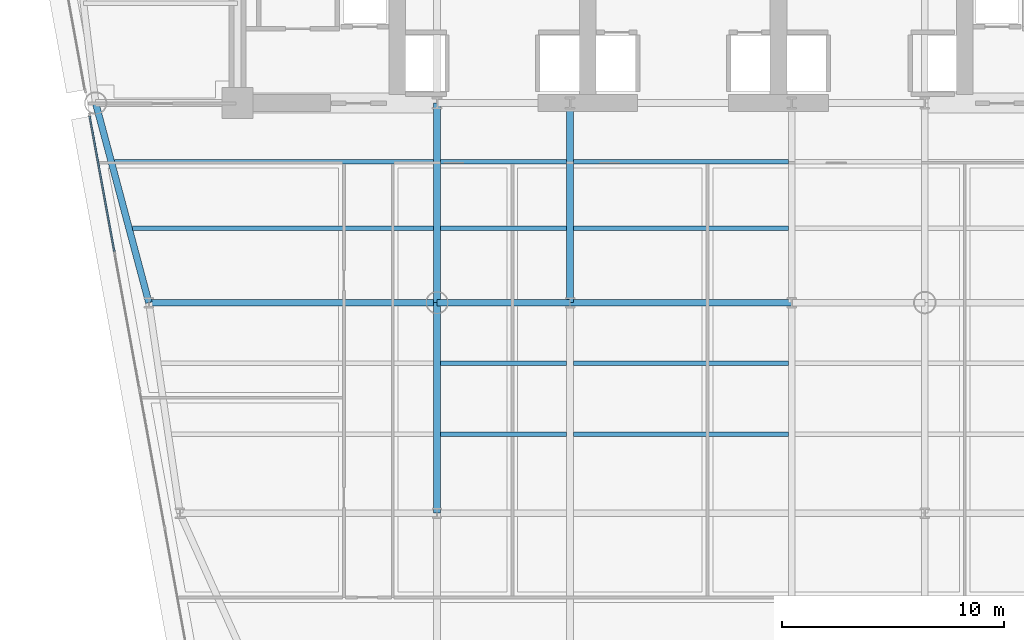
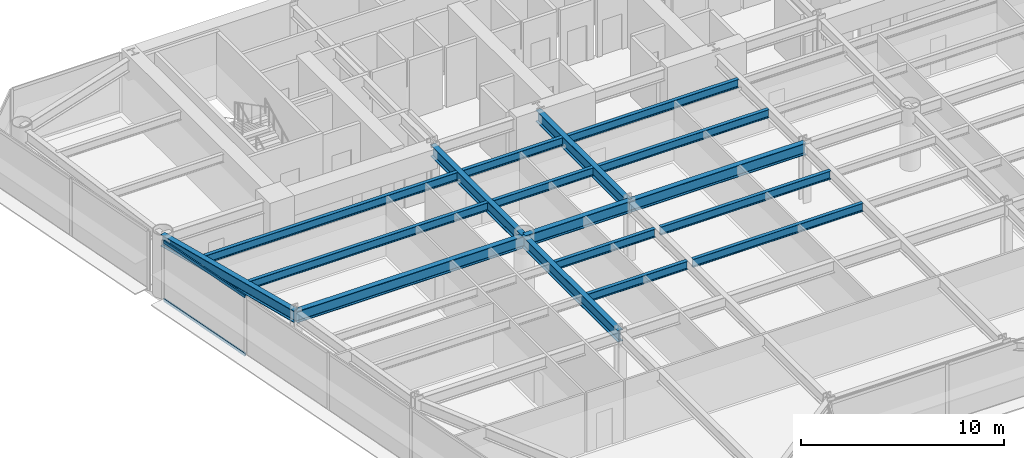
# One storey, part 4 of 15: 17 beams, 2 members, 1 element without a shape of its own.
"""IFC4 building model written with IfcOpenShell, lengths in metres."""

from ifc_helpers import new_model, si_unit, direction, frame, origin, origin_2d, place, context, subcontext, project, spatial, rectangle, i_section, extrude, source, transform, mapped, material, layer, layer_set, material_profile, profile_set, type_object, element, aggregate, save


model = new_model("IFC4")

# Units and contexts
model_context = context("Model", 3, precision=1e-05, world=origin(), true_north=direction((0.0, 1.0)))
body_context = subcontext(model_context, "Body", "Model", "MODEL_VIEW")
ifc_project = project(units=[si_unit("LENGTHUNIT", "METRE"), si_unit("AREAUNIT", "SQUARE_METRE"), si_unit("VOLUMEUNIT", "CUBIC_METRE"), si_unit("PLANEANGLEUNIT", "RADIAN"), si_unit("MASSUNIT", "GRAM", prefix="KILO")], contexts=[model_context])

# Site, building, storey
site_placement = place(None, origin())
site = spatial("IfcSite", under=ifc_project, at=site_placement, CompositionType="ELEMENT")
building_placement = place(site_placement, origin())
building = spatial("IfcBuilding", under=site, at=building_placement, Name="Vaeldorn Concourse Tower", CompositionType="ELEMENT")
storey_placement = place(building_placement, frame((0.0, 0.0, 103.39990234375)))
storey = spatial("IfcBuildingStorey", under=building, at=storey_placement, Name="L26", CompositionType="ELEMENT", Elevation=103.39990234375)

# Beams
ifc_material_1 = material(Name="Steel S355", Category="steel")
ifc_material_profile_1 = material_profile(ifc_material_1, i_section(OverallWidth=0.199951171875, OverallDepth=0.5, WebThickness=0.01025390625, FlangeThickness=0.01611328125, FilletRadius=0.02099609375, at=origin_2d()), Name="IPE 500")
ifc_profile_set_1 = profile_set([ifc_material_profile_1], Name="Steel S355")
beam_type_1 = type_object("IfcBeamType", Name="BM-JS-IPE500", PredefinedType="JOIST", material=ifc_profile_set_1)
shared_shape_1 = source(origin(), body_context, "Body", "SweptSolid", [
    extrude(i_section(OverallWidth=0.199951171875, OverallDepth=0.5, WebThickness=0.01025390625, FlangeThickness=0.01611328125, FilletRadius=0.02099609375, at=origin_2d()), origin(), (0.0, 0.0, 1.0), 5.7001953125),
])
for number, where, z_axis, x_axis, name in (
    (1, (23.14990234375, 21.56005859375, 3.330078125), (1.0, 0.0, 0.0), (0.0, 1.0, 0.0), "Beam JS-L26-W2-215"),
    (2, (23.14990234375, 24.760009765625, 3.330078125), (1.0, 0.0, 0.0), (0.0, 1.0, 0.0), "Beam JS-L26-W2-247"),
    (3, (23.14990234375, 30.860107421875, 3.330078125), (1.0, 0.0, 0.0), (0.0, 1.0, 0.0), "Beam JS-L26-W2-308"),
    (4, (23.14990234375, 33.860107421875, 3.330078125), (1.0, 0.0, 0.0), (0.0, 1.0, 0.0), "Beam JS-L26-W2-338"),
):
    element("IfcBeam", number, at=place(storey_placement, frame(where, z_axis=z_axis, x_axis=x_axis)), inside=storey, type_object=beam_type_1, Name=name, PredefinedType="JOIST", context=body_context, shape_type="MappedRepresentation", body=[
        mapped(shared_shape_1, transform((0.0, 0.0, 0.0), scale=1.0)),
    ])
shared_shape_2 = source(origin(), body_context, "Body", "SweptSolid", [
    extrude(i_section(OverallWidth=0.199951171875, OverallDepth=0.5, WebThickness=0.01025390625, FlangeThickness=0.01611328125, FilletRadius=0.02099609375, at=origin_2d()), origin(), (0.0, 0.0, 1.0), 9.7001953125),
])
for number, where, z_axis, x_axis, name in (
    (5, (29.14990234375, 21.56005859375, 3.330078125), (1.0, 0.0, 0.0), (0.0, 1.0, 0.0), "Beam JS-L26-C-215"),
    (6, (29.14990234375, 24.760009765625, 3.330078125), (1.0, 0.0, 0.0), (0.0, 1.0, 0.0), "Beam JS-L26-C-247"),
    (7, (29.14990234375, 30.860107421875, 3.330078125), (1.0, 0.0, 0.0), (0.0, 1.0, 0.0), "Beam JS-L26-C-308"),
    (8, (29.14990234375, 33.860107421875, 3.330078125), (1.0, 0.0, 0.0), (0.0, 1.0, 0.0), "Beam JS-L26-C-338"),
):
    element("IfcBeam", number, at=place(storey_placement, frame(where, z_axis=z_axis, x_axis=x_axis)), inside=storey, type_object=beam_type_1, Name=name, PredefinedType="JOIST", context=body_context, shape_type="MappedRepresentation", body=[
        mapped(shared_shape_2, transform((0.0, 0.0, 0.0), scale=1.0)),
    ])
shared_shape_3 = source(origin(), body_context, "Body", "SweptSolid", [
    extrude(i_section(OverallWidth=0.199951171875, OverallDepth=0.5, WebThickness=0.01025390625, FlangeThickness=0.01611328125, FilletRadius=0.02099609375, at=origin_2d()), origin(), (0.0, 0.0, 1.0), 13.59619140625),
])
beam_1_placement = place(storey_placement, frame((9.25390625, 30.860107421875, 3.330078125), z_axis=(1.0, 0.0, 0.0), x_axis=(0.0, 1.0, 0.0)))
element("IfcBeam", 9, at=beam_1_placement, inside=storey, type_object=beam_type_1, Name="Beam JS-L26-W1-308", PredefinedType="JOIST", context=body_context, shape_type="MappedRepresentation", body=[
    mapped(shared_shape_3, transform((0.0, 0.0, 0.0), scale=1.0)),
])
shared_shape_4 = source(origin(), body_context, "Body", "SweptSolid", [
    extrude(i_section(OverallWidth=0.199951171875, OverallDepth=0.5, WebThickness=0.01025390625, FlangeThickness=0.01611328125, FilletRadius=0.02099609375, at=origin_2d()), origin(), (0.0, 0.0, 1.0), 14.39599609375),
])
beam_2_placement = place(storey_placement, frame((8.4541015625, 33.860107421875, 3.330078125), z_axis=(1.0, 0.0, 0.0), x_axis=(0.0, 1.0, 0.0)))
element("IfcBeam", 10, at=beam_2_placement, inside=storey, type_object=beam_type_1, Name="Beam JS-L26-W1-338", PredefinedType="JOIST", context=body_context, shape_type="MappedRepresentation", body=[
    mapped(shared_shape_4, transform((0.0, 0.0, 0.0), scale=1.0)),
])
ifc_material_profile_2 = material_profile(ifc_material_1, i_section(OverallWidth=0.300048828125, OverallDepth=0.699951171875, WebThickness=0.01708984375, FlangeThickness=0.031982421875, FilletRadius=0.027099609375, at=origin_2d()), Name="HEB 700")
ifc_profile_set_2 = profile_set([ifc_material_profile_2], Name="Steel S355")
beam_type_2 = type_object("IfcBeamType", Name="BM-PG-HEB700", PredefinedType="BEAM", material=ifc_profile_set_2)
shared_shape_5 = source(origin(), body_context, "Body", "SweptSolid", [
    extrude(i_section(OverallWidth=0.300048828125, OverallDepth=0.699951171875, WebThickness=0.01708984375, FlangeThickness=0.031982421875, FilletRadius=0.027099609375, at=origin_2d()), origin(), (0.0, 0.0, 1.0), 6.0),
])
beam_3_placement = place(storey_placement, frame((23.0, 27.5, 3.22998046875), z_axis=(1.0, 0.0, 0.0), x_axis=(0.0, 1.0, 0.0)))
element("IfcBeam", 11, at=beam_3_placement, inside=storey, type_object=beam_type_2, Name="Beam BM-L26-C-TW1-C-TW2", PredefinedType="BEAM", context=body_context, shape_type="MappedRepresentation", body=[
    mapped(shared_shape_5, transform((0.0, 0.0, 0.0), scale=1.0)),
])
shared_shape_6 = source(origin(), body_context, "Body", "SweptSolid", [
    extrude(i_section(OverallWidth=0.300048828125, OverallDepth=0.699951171875, WebThickness=0.01708984375, FlangeThickness=0.031982421875, FilletRadius=0.027099609375, at=origin_2d()), origin(), (0.0, 0.0, 1.0), 10.0),
])
beam_4_placement = place(storey_placement, frame((29.0, 27.5, 3.22998046875), z_axis=(1.0, 0.0, 0.0), x_axis=(0.0, 1.0, 0.0)))
element("IfcBeam", 12, at=beam_4_placement, inside=storey, type_object=beam_type_2, Name="Beam BM-L26-C-TW2-C-TW3", PredefinedType="BEAM", context=body_context, shape_type="MappedRepresentation", body=[
    mapped(shared_shape_6, transform((0.0, 0.0, 0.0), scale=1.0)),
])
shared_shape_7 = source(origin(), body_context, "Body", "SweptSolid", [
    extrude(i_section(OverallWidth=0.300048828125, OverallDepth=0.699951171875, WebThickness=0.01708984375, FlangeThickness=0.031982421875, FilletRadius=0.027099609375, at=origin_2d()), origin(), (0.0, 0.0, 1.0), 9.0),
])
for number, where, z_axis, x_axis, name in (
    (13, (23.0, 27.5, 3.22998046875), (0.0, 1.0, 0.0), (-1.0, 0.0, 0.0), "Beam BM-L26-C-TW1-C-FC2"),
    (14, (29.0, 27.5, 3.22998046875), (0.0, 1.0, 0.0), (-1.0, 0.0, 0.0), "Beam BM-L26-C-TW2-C-FC3"),
):
    element("IfcBeam", number, at=place(storey_placement, frame(where, z_axis=z_axis, x_axis=x_axis)), inside=storey, type_object=beam_type_2, Name=name, PredefinedType="BEAM", context=body_context, shape_type="MappedRepresentation", body=[
        mapped(shared_shape_7, transform((0.0, 0.0, 0.0), scale=1.0)),
    ])
shared_shape_8 = source(origin(), body_context, "Body", "SweptSolid", [
    extrude(i_section(OverallWidth=0.300048828125, OverallDepth=0.699951171875, WebThickness=0.01708984375, FlangeThickness=0.031982421875, FilletRadius=0.027099609375, at=origin_2d()), origin(), (0.0, 0.0, 1.0), 9.314453125),
])
beam_5_placement = place(storey_placement, frame((7.60009765625, 36.5, 3.22998046875), z_axis=(0.257652862255, -0.966237549763, 0.0), x_axis=(0.966237549763, 0.257652862255, 0.0)))
element("IfcBeam", 15, at=beam_5_placement, inside=storey, type_object=beam_type_2, Name="Beam BM-L26-C-NW2-C-FLW1", PredefinedType="BEAM", context=body_context, shape_type="MappedRepresentation", body=[
    mapped(shared_shape_8, transform((0.0, 0.0, 0.0), scale=1.0)),
])
shared_shape_9 = source(origin(), body_context, "Body", "SweptSolid", [
    extrude(i_section(OverallWidth=0.300048828125, OverallDepth=0.699951171875, WebThickness=0.01708984375, FlangeThickness=0.031982421875, FilletRadius=0.027099609375, at=origin_2d()), origin(), (0.0, 0.0, 1.0), 13.0),
])
beam_6_placement = place(storey_placement, frame((10.0, 27.5, 3.22998046875), z_axis=(1.0, 0.0, 0.0), x_axis=(0.0, 1.0, 0.0)))
element("IfcBeam", 16, at=beam_6_placement, inside=storey, type_object=beam_type_2, Name="Beam BM-L26-C-FLW1-C-TW1", PredefinedType="BEAM", context=body_context, shape_type="MappedRepresentation", body=[
    mapped(shared_shape_9, transform((0.0, 0.0, 0.0), scale=1.0)),
])
shared_shape_10 = source(origin(), body_context, "Body", "SweptSolid", [
    extrude(i_section(OverallWidth=0.300048828125, OverallDepth=0.699951171875, WebThickness=0.01708984375, FlangeThickness=0.031982421875, FilletRadius=0.027099609375, at=origin_2d()), origin(), (0.0, 0.0, 1.0), 9.5),
])
beam_7_placement = place(storey_placement, frame((23.0, 18.0, 3.22998046875), z_axis=(0.0, 1.0, 0.0), x_axis=(-1.0, 0.0, 0.0)))
element("IfcBeam", 17, at=beam_7_placement, inside=storey, type_object=beam_type_2, Name="Beam BM-L26-C-TW5-C-TW1", PredefinedType="BEAM", context=body_context, shape_type="MappedRepresentation", body=[
    mapped(shared_shape_10, transform((0.0, 0.0, 0.0), scale=1.0)),
])

# Curtain wall, members
ifc_material_2 = material(Name="Anodised Bronze Aluminium", Category="aluminium")
ifc_layer = layer(ifc_material_2, 0.199951171875)
ifc_layer_set = layer_set([ifc_layer], Name="Anodised Bronze Aluminium")
curtain_wall_type = type_object("IfcCurtainWallType", Name="CW-SYS-02", PredefinedType="NOTDEFINED", material=ifc_layer_set)
curtain_wall_placement = place(storey_placement, origin())
curtain_wall = element("IfcCurtainWall", 18, at=curtain_wall_placement, inside=storey, type_object=curtain_wall_type, Name="Unitised Curtain Wall CW-L26-E11-2", PredefinedType="NOTDEFINED")
ifc_material_profile_3 = material_profile(ifc_material_2, rectangle(XDim=0.074951171875, YDim=0.179931640625, at=origin_2d()), Name="CWT 75x180")
ifc_profile_set_3 = profile_set([ifc_material_profile_3], Name="Anodised Bronze Aluminium")
member_type = type_object("IfcMemberType", Name="CWT-BRONZE-180", PredefinedType="USERDEFINED", material=ifc_profile_set_3)
shared_shape_11 = source(origin(), body_context, "Body", "SweptSolid", [
    extrude(rectangle(XDim=0.074951171875, YDim=0.179931640625, at=origin_2d()), origin(), (0.0, 0.0, 1.0), 6.200439453125),
])
member_1_placement = place(storey_placement, frame((7.33251953125, 35.908203125, 0.03759765625), z_axis=(0.179353193159, -0.983784748867, 0.0), x_axis=(0.983784748867, 0.179353193159, 0.0)))
member_1 = element("IfcMember", 19, at=member_1_placement, type_object=member_type, Name="CW-02 transom 1.1", ObjectType="TRANSOM", PredefinedType="USERDEFINED", context=body_context, shape_type="MappedRepresentation", body=[
    mapped(shared_shape_11, transform((0.0, 0.0, 0.0), scale=1.0)),
])
member_2_placement = place(storey_placement, frame((7.33251953125, 35.908203125, 3.54248046875), z_axis=(0.179353193159, -0.983784748867, 0.0), x_axis=(0.983784748867, 0.179353193159, 0.0)))
member_2 = element("IfcMember", 20, at=member_2_placement, type_object=member_type, Name="CW-02 transom 1.2", ObjectType="TRANSOM", PredefinedType="USERDEFINED", context=body_context, shape_type="MappedRepresentation", body=[
    mapped(shared_shape_11, transform((0.0, 0.0, 0.0), scale=1.0)),
])
aggregate(curtain_wall, [member_1, member_2])

save(model, "model.ifc")
